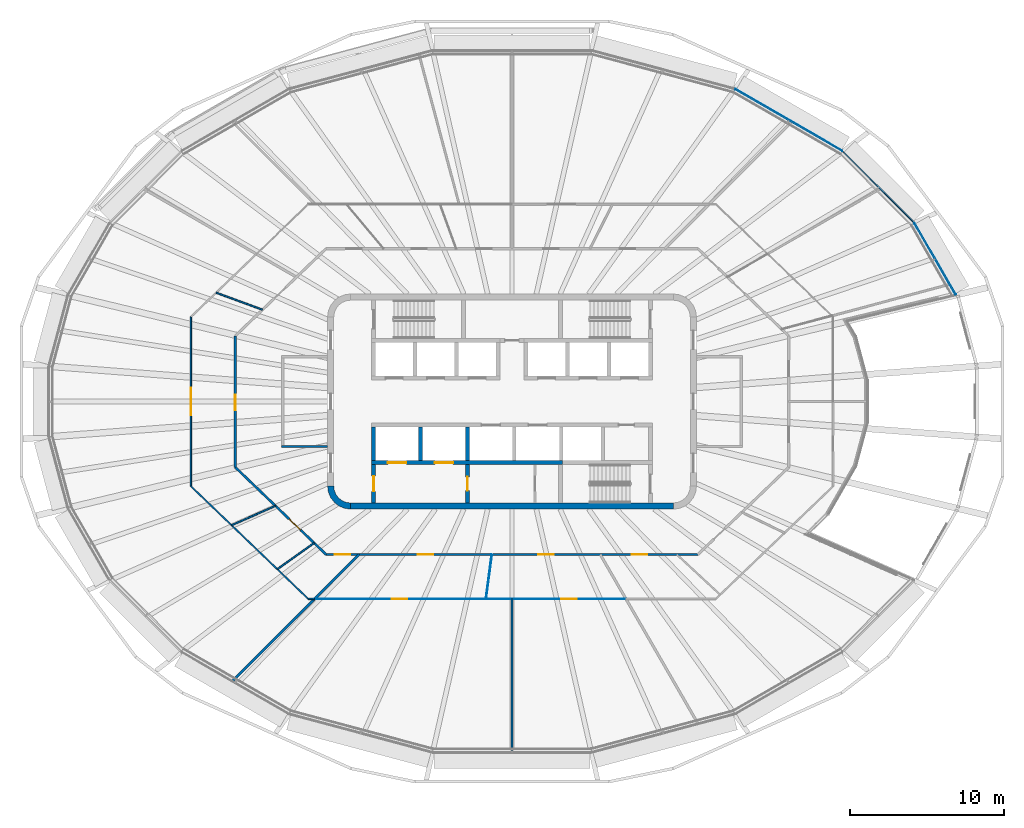
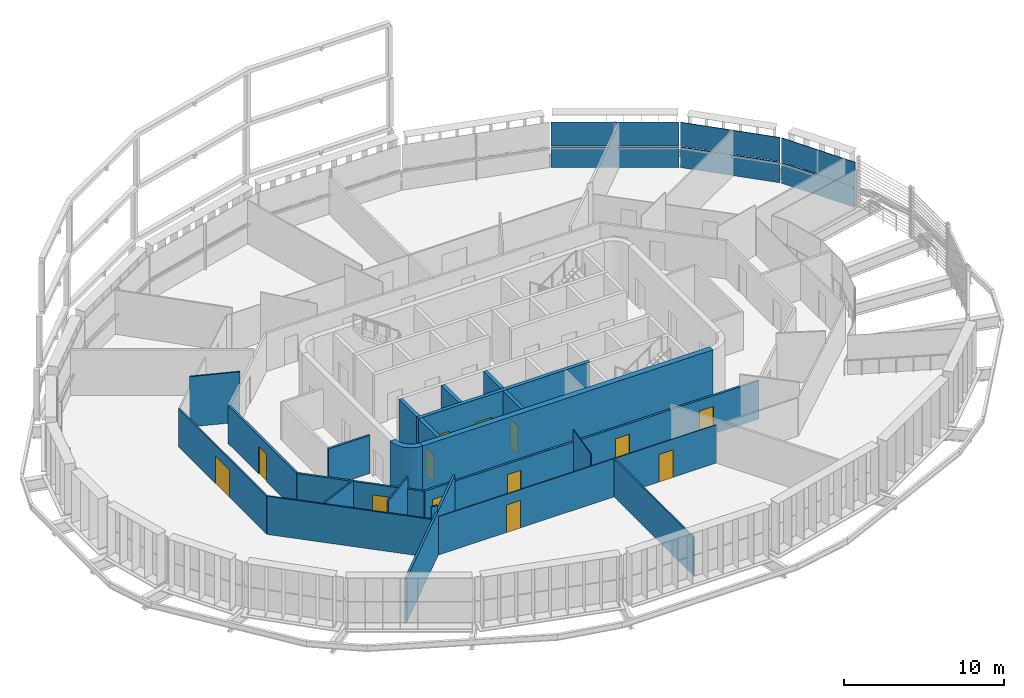
# One storey, part 10 of 21: 22 walls, 13 doors, 6 plates, 13 openings, 3 elements without a shape of their own.
"""IFC4 building model written with IfcOpenShell, lengths in metres."""

from ifc_helpers import new_model, si_unit, direction, frame, frame_2d, origin, place, context, subcontext, project, spatial, polyline, rectangle, outline, extrude, material, layer, layer_set, type_object, element, fill, aggregate, save


model = new_model("IFC4")

# Units and contexts
model_context = context("Model", 3, precision=1e-05, world=origin(), true_north=direction((0.0, 1.0)))
body_context = subcontext(model_context, "Body", "Model", "MODEL_VIEW")
ifc_project = project(units=[si_unit("LENGTHUNIT", "METRE"), si_unit("AREAUNIT", "SQUARE_METRE"), si_unit("VOLUMEUNIT", "CUBIC_METRE"), si_unit("PLANEANGLEUNIT", "RADIAN"), si_unit("MASSUNIT", "GRAM", prefix="KILO")], contexts=[model_context])

# Site, building, storey
site_placement = place(None, origin())
site = spatial("IfcSite", under=ifc_project, at=site_placement, CompositionType="ELEMENT")
building_placement = place(site_placement, origin())
building = spatial("IfcBuilding", under=site, at=building_placement, Name="Sahrelin Media Tower", CompositionType="ELEMENT")
storey_placement = place(building_placement, frame((0.0, 0.0, 263.0)))
storey = spatial("IfcBuildingStorey", under=building, at=storey_placement, Name="L57", CompositionType="ELEMENT", Elevation=263.0)

# Curtain wall, plate
ifc_material_1 = material(Name="Champagne anodised aluminium 6063-T6", Category="aluminium")
ifc_layer_1 = layer(ifc_material_1, 0.14990234375)
ifc_layer_set_1 = layer_set([ifc_layer_1], Name="Tower ribbon curtain wall")
curtain_wall_type = type_object("IfcCurtainWallType", Name="Tower ribbon curtain wall", PredefinedType="NOTDEFINED", material=ifc_layer_set_1)
curtain_wall_1_placement = place(storey_placement, frame((27.537109375, 9.2861328125, 0.0), z_axis=(0.0, 0.0, 1.0), x_axis=(1.0, 0.0, 0.0)))
curtain_wall_1 = element("IfcCurtainWall", 1, at=curtain_wall_1_placement, inside=storey, type_object=curtain_wall_type, Name="L57:CW:L57-02", PredefinedType="NOTDEFINED")
ifc_material_2 = material(Name="Clear low-iron glazing", Category="glass")
ifc_layer_2 = layer(ifc_material_2, 0.048095703125)
ifc_layer_set_2 = layer_set([ifc_layer_2], Name="Glazing panel 48 mm CW1C")
plate_type_1 = type_object("IfcPlateType", Name="Glazing panel 48 mm CW1C", PredefinedType="CURTAIN_PANEL", material=ifc_layer_set_2)
plate_1_placement = place(storey_placement, frame((28.88916015625, 6.984130859375, 1.6298828125), z_axis=(0.866034051535, 0.499985021357, 0.0), x_axis=(-0.499985021357, 0.866034051535, 0.0)))
plate_1 = element("IfcPlate", 2, at=plate_1_placement, type_object=plate_type_1, Name="L57:CWP2:L57-02", PredefinedType="CURTAIN_PANEL", context=body_context, shape_type="SweptSolid", body=[
    extrude(outline(polyline([(0.0, 0.0), (5.339111328125, 0.0), (5.339111328125, 1.818603515625), (0.0, 1.818603515625), (0.0, 0.0)])), origin(), (0.0, 0.0, -1.0), 0.048095703125),
])

curtain_wall_2_placement = place(storey_placement, frame((23.85546875, 13.962890625, 0.0), z_axis=(0.0, 0.0, 1.0), x_axis=(1.0, 0.0, 0.0)))
curtain_wall_2 = element("IfcCurtainWall", 3, at=curtain_wall_2_placement, inside=storey, type_object=curtain_wall_type, Name="L57:CW:L57-03", PredefinedType="NOTDEFINED")
plate_2_placement = place(storey_placement, frame((26.15625, 11.690673828125, 1.6298828125), z_axis=(0.707106781187, 0.707106781187, 0.0), x_axis=(-0.707106781187, 0.707106781187, 0.0)))
plate_2 = element("IfcPlate", 4, at=plate_2_placement, type_object=plate_type_1, Name="L57:CWP2:L57-03", PredefinedType="CURTAIN_PANEL", context=body_context, shape_type="SweptSolid", body=[
    extrude(outline(polyline([(0.0, 0.0), (6.46728515625, 0.0), (6.46728515625, 1.818603515625), (0.0, 1.818603515625), (0.0, 0.0)])), origin(), (0.0, 0.0, -1.0), 0.048095703125),
])

curtain_wall_3_placement = place(storey_placement, frame((18.017578125, 18.31494140625, 0.0), z_axis=(0.0, 0.0, 1.0), x_axis=(1.0, 0.0, 0.0)))
curtain_wall_3 = element("IfcCurtainWall", 5, at=curtain_wall_3_placement, inside=storey, type_object=curtain_wall_type, Name="L57:CW:L57-04", PredefinedType="NOTDEFINED")
plate_3_placement = place(storey_placement, frame((21.50048828125, 16.3271484375, 1.6298828125), z_axis=(0.500008785931, 0.866020331166, 0.0), x_axis=(-0.866020331166, 0.500008785931, 0.0)))
plate_3 = element("IfcPlate", 6, at=plate_3_placement, type_object=plate_type_1, Name="L57:CWP2:L57-04", PredefinedType="CURTAIN_PANEL", context=body_context, shape_type="SweptSolid", body=[
    extrude(outline(polyline([(0.0, 0.0), (8.020263671875, 0.0), (8.020263671875, 1.818603515625), (0.0, 1.818603515625), (0.0, 0.0)])), origin(), (0.0, 0.0, -1.0), 0.048095703125),
])

# Plate
ifc_material_3 = material(Name="Insulated spandrel panel")
ifc_layer_3 = layer(ifc_material_3, 0.06005859375)
ifc_layer_set_3 = layer_set([ifc_layer_3], Name="Spandrel panel 60 mm CW1")
plate_type_2 = type_object("IfcPlateType", Name="Spandrel panel 60 mm CW1", PredefinedType="SHEET", material=ifc_layer_set_3)
plate_4_placement = place(storey_placement, frame((28.88916015625, 6.984130859375, 0.0), z_axis=(0.866034051535, 0.499985021357, 0.0), x_axis=(-0.499985021357, 0.866034051535, 0.0)))
plate_4 = element("IfcPlate", 7, at=plate_4_placement, type_object=plate_type_2, Name="L57:CWP1:L57-02", PredefinedType="SHEET", context=body_context, shape_type="SweptSolid", body=[
    extrude(outline(polyline([(0.0, 0.0), (5.339111328125, 0.0), (5.339111328125, 1.570068359375), (0.0, 1.570068359375), (0.0, 0.0)])), origin(), (0.0, 0.0, -1.0), 0.06005859375),
])

aggregate(curtain_wall_1, [plate_4, plate_1])

plate_5_placement = place(storey_placement, frame((26.15625, 11.690673828125, 0.0), z_axis=(0.707106781187, 0.707106781187, 0.0), x_axis=(-0.707106781187, 0.707106781187, 0.0)))
plate_5 = element("IfcPlate", 8, at=plate_5_placement, type_object=plate_type_2, Name="L57:CWP1:L57-03", PredefinedType="SHEET", context=body_context, shape_type="SweptSolid", body=[
    extrude(outline(polyline([(0.0, 0.0), (6.46728515625, 0.0), (6.46728515625, 1.570068359375), (0.0, 1.570068359375), (0.0, 0.0)])), origin(), (0.0, 0.0, -1.0), 0.06005859375),
])

aggregate(curtain_wall_2, [plate_5, plate_2])

plate_6_placement = place(storey_placement, frame((21.50048828125, 16.3271484375, 0.0), z_axis=(0.500008785931, 0.866020331166, 0.0), x_axis=(-0.866020331166, 0.500008785931, 0.0)))
plate_6 = element("IfcPlate", 9, at=plate_6_placement, type_object=plate_type_2, Name="L57:CWP1:L57-04", PredefinedType="SHEET", context=body_context, shape_type="SweptSolid", body=[
    extrude(outline(polyline([(0.0, 0.0), (8.020263671875, 0.0), (8.020263671875, 1.570068359375), (0.0, 1.570068359375), (0.0, 0.0)])), origin(), (0.0, 0.0, -1.0), 0.06005859375),
])

aggregate(curtain_wall_3, [plate_6, plate_3])

# Walls
ifc_material_4 = material(Name="Concrete C60/75", Category="concrete")
ifc_layer_4 = layer(ifc_material_4, 0.39990234375)
ifc_layer_set_4 = layer_set([ifc_layer_4], Name="Core wall 400")
wall_type_1 = type_object("IfcWallType", Name="Core wall 400", PredefinedType="SHEAR", material=ifc_layer_set_4)
wall_1_placement = place(storey_placement, frame((-10.5, -6.800048828125, 0.0), z_axis=(0.0, 0.0, 1.0), x_axis=(1.0, 0.0, 0.0)))
element("IfcWall", 10, at=wall_1_placement, inside=storey, type_object=wall_type_1, Name="Core wall S L57", PredefinedType="SHEAR", context=body_context, shape_type="SweptSolid", body=[
    extrude(rectangle(XDim=21.0, YDim=0.39990234375, at=frame_2d((10.5, 0.0))), origin(), (0.0, 0.0, 1.0), 4.0),
])
wall_2_placement = place(storey_placement, origin())
element("IfcWall", 11, at=wall_2_placement, inside=storey, type_object=wall_type_1, Name="Core wall corner SW L57", PredefinedType="SHEAR", context=body_context, shape_type="SweptSolid", body=[
    extrude(outline(polyline([(-10.5, -7.0), (-10.5, -6.596435546875), (-10.78369140625, -6.55908203125), (-11.04833984375, -6.44970703125), (-11.275390625, -6.275390625), (-11.44970703125, -6.04833984375), (-11.55908203125, -5.78369140625), (-11.596435546875, -5.5), (-12.0, -5.5), (-11.948974609375, -5.88818359375), (-11.799072265625, -6.25), (-11.560791015625, -6.560791015625), (-11.25, -6.799072265625), (-10.88818359375, -6.948974609375), (-10.5, -7.0)])), origin(), (0.0, 0.0, 1.0), 4.0),
])
ifc_material_5 = material(Name="Fire-rated gypsum board partition")
ifc_layer_5 = layer(ifc_material_5, 0.14990234375)
ifc_layer_set_5 = layer_set([ifc_layer_5], Name="Fire-rated partition 150")
wall_type_2 = type_object("IfcWallType", Name="Fire-rated partition 150", PredefinedType="PARTITIONING", material=ifc_layer_set_5)
wall_3_placement = place(storey_placement, frame((-15.0, -2.925048828125, 0.0), z_axis=(0.0, 0.0, 1.0), x_axis=(1.0, 0.0, 0.0)))
element("IfcWall", 12, at=wall_3_placement, inside=storey, type_object=wall_type_2, Name="Core room fire partition", PredefinedType="PARTITIONING", context=body_context, shape_type="SweptSolid", body=[
    extrude(rectangle(XDim=3.0, YDim=0.14990234375, at=frame_2d((1.5, 0.0))), origin(), (0.0, 0.0, 1.0), 2.918212890625),
])

# Wall, opening, door
wall_4_placement = place(storey_placement, frame((-18.0, -4.278076171875, 0.0), z_axis=(0.0, 0.0, 1.0), x_axis=(0.721290181137, -0.692633001376, 0.0)))
wall_4 = element("IfcWall", 13, at=wall_4_placement, inside=storey, type_object=wall_type_2, Name="Wall", PredefinedType="PARTITIONING", context=body_context, shape_type="SweptSolid", body=[
    extrude(rectangle(XDim=8.18701171875, YDim=0.14990234375, at=frame_2d((4.093505859375, 0.0))), origin(), (0.0, 0.0, 1.0), 2.918212890625),
])
opening_1_placement = place(wall_4_placement, frame((4.8662109375, 0.0, 0.0)))
opening_1 = element("IfcOpeningElement", 14, at=opening_1_placement, cuts=wall_4, Name="Opening L57-D23", PredefinedType="OPENING", context=body_context, shape_type="SweptSolid", body=[
    extrude(rectangle(XDim=1.0, YDim=2.10009765625, at=frame_2d((0.5, 1.050048828125))), frame((0.0, 0.074951171875, 0.0), z_axis=(0.0, -1.0, 0.0), x_axis=(1.0, 0.0, 0.0)), (0.0, 0.0, 1.0), 0.14990234375),
])
ifc_material_6 = material(Name="Steel fire door leaf", Category="steel")
door_type_1 = type_object("IfcDoorType", Name="Fire door 1000 x 2100 EI 60", OperationType="NOTDEFINED", PredefinedType="DOOR", material=ifc_material_6)
door_1_placement = place(opening_1_placement, origin())
door_1 = element("IfcDoor", 15, at=door_1_placement, inside=storey, type_object=door_type_1, Name="Fire door", OperationType="SINGLE_SWING_RIGHT", OverallHeight=2.10009765625, OverallWidth=1.0, PredefinedType="DOOR", context=body_context, shape_type="SweptSolid", body=[
    extrude(rectangle(XDim=1.0, YDim=2.10009765625, at=frame_2d((0.5, 1.050048828125))), frame((0.0, 0.02490234375, 0.0), z_axis=(0.0, -1.0, 0.0), x_axis=(1.0, 0.0, 0.0)), (0.0, 0.0, 1.0), 0.050048828125),
])
fill(opening_1, door_1)

# Wall, openings, doors
wall_5_placement = place(storey_placement, frame((-12.094970703125, -9.948974609375, 0.0), z_axis=(0.0, 0.0, 1.0), x_axis=(1.0, 0.0, 0.0)))
wall_5 = element("IfcWall", 16, at=wall_5_placement, inside=storey, type_object=wall_type_2, Name="Wall", PredefinedType="PARTITIONING", context=body_context, shape_type="SweptSolid", body=[
    extrude(rectangle(XDim=24.18994140625, YDim=0.14990234375, at=frame_2d((12.094970703125, 0.0))), origin(), (0.0, 0.0, 1.0), 2.927001953125),
])
opening_2_placement = place(wall_5_placement, frame((0.572998046875, 0.0, 0.0)))
opening_2 = element("IfcOpeningElement", 17, at=opening_2_placement, cuts=wall_5, Name="Opening L57-D24", PredefinedType="OPENING", context=body_context, shape_type="SweptSolid", body=[
    extrude(rectangle(XDim=1.0, YDim=2.10009765625, at=frame_2d((0.5, 1.050048828125))), frame((0.0, 0.074951171875, 0.0), z_axis=(0.0, -1.0, 0.0), x_axis=(1.0, 0.0, 0.0)), (0.0, 0.0, 1.0), 0.14990234375),
])
opening_3_placement = place(wall_5_placement, frame((5.965576171875, 0.0, 0.0)))
opening_3 = element("IfcOpeningElement", 18, at=opening_3_placement, cuts=wall_5, Name="Opening L57-D26", PredefinedType="OPENING", context=body_context, shape_type="SweptSolid", body=[
    extrude(rectangle(XDim=1.0, YDim=2.10009765625, at=frame_2d((0.5, 1.050048828125))), frame((0.0, 0.074951171875, 0.0), z_axis=(0.0, -1.0, 0.0), x_axis=(1.0, 0.0, 0.0)), (0.0, 0.0, 1.0), 0.14990234375),
])
opening_4_placement = place(wall_5_placement, frame((13.81201171875, 0.0, 0.0)))
opening_4 = element("IfcOpeningElement", 19, at=opening_4_placement, cuts=wall_5, Name="Opening L57-D27", PredefinedType="OPENING", context=body_context, shape_type="SweptSolid", body=[
    extrude(rectangle(XDim=1.0, YDim=2.10009765625, at=frame_2d((0.5, 1.050048828125))), frame((0.0, 0.074951171875, 0.0), z_axis=(0.0, -1.0, 0.0), x_axis=(1.0, 0.0, 0.0)), (0.0, 0.0, 1.0), 0.14990234375),
])
opening_5_placement = place(wall_5_placement, frame((19.87939453125, 0.0, 0.0)))
opening_5 = element("IfcOpeningElement", 20, at=opening_5_placement, cuts=wall_5, Name="Opening L57-D30", PredefinedType="OPENING", context=body_context, shape_type="SweptSolid", body=[
    extrude(rectangle(XDim=1.0, YDim=2.10009765625, at=frame_2d((0.5, 1.050048828125))), frame((0.0, 0.074951171875, 0.0), z_axis=(0.0, -1.0, 0.0), x_axis=(1.0, 0.0, 0.0)), (0.0, 0.0, 1.0), 0.14990234375),
])
door_2_placement = place(opening_2_placement, origin())
door_2 = element("IfcDoor", 21, at=door_2_placement, inside=storey, type_object=door_type_1, Name="Fire door", OperationType="SINGLE_SWING_LEFT", OverallHeight=2.10009765625, OverallWidth=1.0, PredefinedType="DOOR", context=body_context, shape_type="SweptSolid", body=[
    extrude(rectangle(XDim=1.0, YDim=2.10009765625, at=frame_2d((0.5, 1.050048828125))), frame((0.0, 0.02490234375, 0.0), z_axis=(0.0, -1.0, 0.0), x_axis=(1.0, 0.0, 0.0)), (0.0, 0.0, 1.0), 0.050048828125),
])
fill(opening_2, door_2)
door_3_placement = place(opening_3_placement, origin())
door_3 = element("IfcDoor", 22, at=door_3_placement, inside=storey, type_object=door_type_1, Name="Fire door", OperationType="SINGLE_SWING_LEFT", OverallHeight=2.10009765625, OverallWidth=1.0, PredefinedType="DOOR", context=body_context, shape_type="SweptSolid", body=[
    extrude(rectangle(XDim=1.0, YDim=2.10009765625, at=frame_2d((0.5, 1.050048828125))), frame((0.0, 0.02490234375, 0.0), z_axis=(0.0, -1.0, 0.0), x_axis=(1.0, 0.0, 0.0)), (0.0, 0.0, 1.0), 0.050048828125),
])
fill(opening_3, door_3)
door_4_placement = place(opening_4_placement, origin())
door_4 = element("IfcDoor", 23, at=door_4_placement, inside=storey, type_object=door_type_1, Name="Fire door", OperationType="SINGLE_SWING_LEFT", OverallHeight=2.10009765625, OverallWidth=1.0, PredefinedType="DOOR", context=body_context, shape_type="SweptSolid", body=[
    extrude(rectangle(XDim=1.0, YDim=2.10009765625, at=frame_2d((0.5, 1.050048828125))), frame((0.0, 0.02490234375, 0.0), z_axis=(0.0, -1.0, 0.0), x_axis=(1.0, 0.0, 0.0)), (0.0, 0.0, 1.0), 0.050048828125),
])
fill(opening_4, door_4)
door_5_placement = place(opening_5_placement, origin())
door_5 = element("IfcDoor", 24, at=door_5_placement, inside=storey, type_object=door_type_1, Name="Fire door", OperationType="SINGLE_SWING_RIGHT", OverallHeight=2.10009765625, OverallWidth=1.0, PredefinedType="DOOR", context=body_context, shape_type="SweptSolid", body=[
    extrude(rectangle(XDim=1.0, YDim=2.10009765625, at=frame_2d((0.5, 1.050048828125))), frame((0.0, 0.02490234375, 0.0), z_axis=(0.0, -1.0, 0.0), x_axis=(1.0, 0.0, 0.0)), (0.0, 0.0, 1.0), 0.050048828125),
])
fill(opening_5, door_5)

# Wall
wall_6_placement = place(storey_placement, frame((-18.2060546875, -18.2060546875, 0.0), z_axis=(0.0, 0.0, 1.0), x_axis=(0.707106781187, 0.707106781187, 0.0)))
element("IfcWall", 25, at=wall_6_placement, inside=storey, type_object=wall_type_2, Name="Wall", PredefinedType="PARTITIONING", context=body_context, shape_type="SweptSolid", body=[
    extrude(rectangle(XDim=11.67724609375, YDim=0.14990234375, at=frame_2d((5.838623046875, 0.0))), origin(), (0.0, 0.0, 1.0), 3.373046875),
])

# Wall, opening, door
wall_7_placement = place(storey_placement, frame((-18.0, -4.278076171875, 0.0), z_axis=(0.0, 0.0, 1.0), x_axis=(0.0, 1.0, 0.0)))
wall_7 = element("IfcWall", 26, at=wall_7_placement, inside=storey, type_object=wall_type_2, Name="Wall", PredefinedType="PARTITIONING", context=body_context, shape_type="SweptSolid", body=[
    extrude(rectangle(XDim=8.55615234375, YDim=0.14990234375, at=frame_2d((4.278076171875, 0.0))), origin(), (0.0, 0.0, 1.0), 2.918212890625),
])
opening_6_placement = place(wall_7_placement, frame((3.7275390625, 0.0, 0.0)))
opening_6 = element("IfcOpeningElement", 27, at=opening_6_placement, cuts=wall_7, Name="Opening L57-D22", PredefinedType="OPENING", context=body_context, shape_type="SweptSolid", body=[
    extrude(rectangle(XDim=1.0, YDim=2.10009765625, at=frame_2d((0.5, 1.050048828125))), frame((0.0, 0.074951171875, 0.0), z_axis=(0.0, -1.0, 0.0), x_axis=(1.0, 0.0, 0.0)), (0.0, 0.0, 1.0), 0.14990234375),
])
door_6_placement = place(opening_6_placement, origin())
door_6 = element("IfcDoor", 28, at=door_6_placement, inside=storey, type_object=door_type_1, Name="Fire door", OperationType="SINGLE_SWING_RIGHT", OverallHeight=2.10009765625, OverallWidth=1.0, PredefinedType="DOOR", context=body_context, shape_type="SweptSolid", body=[
    extrude(rectangle(XDim=1.0, YDim=2.10009765625, at=frame_2d((0.5, 1.050048828125))), frame((0.0, 0.02490234375, 0.0), z_axis=(0.0, -1.0, 0.0), x_axis=(1.0, 0.0, 0.0)), (0.0, 0.0, 1.0), 0.050048828125),
])
fill(opening_6, door_6)

ifc_layer_6 = layer(ifc_material_5, 0.25)
ifc_layer_set_6 = layer_set([ifc_layer_6], Name="Firefighting lobby wall 250")
wall_type_3 = type_object("IfcWallType", Name="Firefighting lobby wall 250", PredefinedType="PARTITIONING", material=ifc_layer_set_6)
wall_8_placement = place(storey_placement, frame((-9.0, -6.60009765625, 0.0), z_axis=(0.0, 0.0, 1.0), x_axis=(0.0, 1.0, 0.0)))
wall_8 = element("IfcWall", 29, at=wall_8_placement, inside=storey, type_object=wall_type_3, Name="Core wall", PredefinedType="PARTITIONING", context=body_context, shape_type="SweptSolid", body=[
    extrude(rectangle(XDim=2.5, YDim=0.25, at=frame_2d((1.25, 0.0))), origin(), (0.0, 0.0, 1.0), 3.85009765625),
])
opening_7_placement = place(wall_8_placement, frame((0.75, 0.0, 0.0)))
opening_7 = element("IfcOpeningElement", 30, at=opening_7_placement, cuts=wall_8, Name="Opening L57-D04", PredefinedType="OPENING", context=body_context, shape_type="SweptSolid", body=[
    extrude(rectangle(XDim=1.0, YDim=2.10009765625, at=frame_2d((0.5, 1.050048828125))), frame((0.0, 0.125, 0.0), z_axis=(0.0, -1.0, 0.0), x_axis=(1.0, 0.0, 0.0)), (0.0, 0.0, 1.0), 0.25),
])
door_type_2 = type_object("IfcDoorType", Name="Firefighting lobby door 1000 x 2100 EI 120", OperationType="NOTDEFINED", PredefinedType="DOOR", material=ifc_material_6)
door_7_placement = place(opening_7_placement, origin())
door_7 = element("IfcDoor", 31, at=door_7_placement, inside=storey, type_object=door_type_2, Name="Firefighting lobby door", OperationType="SINGLE_SWING_LEFT", OverallHeight=2.10009765625, OverallWidth=1.0, PredefinedType="DOOR", context=body_context, shape_type="SweptSolid", body=[
    extrude(rectangle(XDim=1.0, YDim=2.10009765625, at=frame_2d((0.5, 1.050048828125))), frame((0.0, 0.02490234375, 0.0), z_axis=(0.0, -1.0, 0.0), x_axis=(1.0, 0.0, 0.0)), (0.0, 0.0, 1.0), 0.050048828125),
])
fill(opening_7, door_7)

wall_9_placement = place(storey_placement, frame((-2.89990234375, -6.60009765625, 0.0), z_axis=(0.0, 0.0, 1.0), x_axis=(0.0, 1.0, 0.0)))
wall_9 = element("IfcWall", 32, at=wall_9_placement, inside=storey, type_object=wall_type_3, Name="Core wall", PredefinedType="PARTITIONING", context=body_context, shape_type="SweptSolid", body=[
    extrude(rectangle(XDim=2.5, YDim=0.25, at=frame_2d((1.25, 0.0))), origin(), (0.0, 0.0, 1.0), 3.85009765625),
])
opening_8_placement = place(wall_9_placement, frame((0.800048828125, 0.0, 0.0)))
opening_8 = element("IfcOpeningElement", 33, at=opening_8_placement, cuts=wall_9, Name="Opening L57-D05", PredefinedType="OPENING", context=body_context, shape_type="SweptSolid", body=[
    extrude(rectangle(XDim=0.89990234375, YDim=2.10009765625, at=frame_2d((0.449951171875, 1.050048828125))), frame((0.0, 0.125, 0.0), z_axis=(0.0, -1.0, 0.0), x_axis=(1.0, 0.0, 0.0)), (0.0, 0.0, 1.0), 0.25),
])
door_type_3 = type_object("IfcDoorType", Name="Firefighting lobby door 900 x 2100 EI 120", OperationType="NOTDEFINED", PredefinedType="DOOR", material=ifc_material_6)
door_8_placement = place(opening_8_placement, origin())
door_8 = element("IfcDoor", 34, at=door_8_placement, inside=storey, type_object=door_type_3, Name="Riser door", OperationType="SINGLE_SWING_RIGHT", OverallHeight=2.10009765625, OverallWidth=0.89990234375, PredefinedType="DOOR", context=body_context, shape_type="SweptSolid", body=[
    extrude(rectangle(XDim=0.89990234375, YDim=2.10009765625, at=frame_2d((0.449951171875, 1.050048828125))), frame((0.0, 0.02490234375, 0.0), z_axis=(0.0, -1.0, 0.0), x_axis=(1.0, 0.0, 0.0)), (0.0, 0.0, 1.0), 0.050048828125),
])
fill(opening_8, door_8)

# Wall, openings, doors
ifc_material_7 = material(Name="Clear glass", Category="glass")
ifc_layer_7 = layer(ifc_material_7, 0.050048828125)
ifc_layer_set_7 = layer_set([ifc_layer_7], Name="Glazed partition 50")
wall_type_4 = type_object("IfcWallType", Name="Glazed partition 50", PredefinedType="PARTITIONING", material=ifc_layer_set_7)
wall_10_placement = place(storey_placement, frame((-12.839111328125, -12.839111328125, 0.0), z_axis=(0.0, 0.0, 1.0), x_axis=(1.0, 0.0, 0.0)))
wall_10 = element("IfcWall", 35, at=wall_10_placement, inside=storey, type_object=wall_type_4, Name="Wall", PredefinedType="PARTITIONING", context=body_context, shape_type="SweptSolid", body=[
    extrude(rectangle(XDim=20.252197265625, YDim=0.050048828125, at=frame_2d((10.1259765625, 0.0))), origin(), (0.0, 0.0, 1.0), 2.927001953125),
])
opening_9_placement = place(wall_10_placement, frame((5.024169921875, 0.0, 0.0)))
opening_9 = element("IfcOpeningElement", 36, at=opening_9_placement, cuts=wall_10, Name="Opening L57-D28", PredefinedType="OPENING", context=body_context, shape_type="SweptSolid", body=[
    extrude(rectangle(XDim=1.0, YDim=2.10009765625, at=frame_2d((0.5, 1.050048828125))), frame((0.0, 0.02490234375, 0.0), z_axis=(0.0, -1.0, 0.0), x_axis=(1.0, 0.0, 0.0)), (0.0, 0.0, 1.0), 0.050048828125),
])
opening_10_placement = place(wall_10_placement, frame((16.04541015625, 0.0, 0.0)))
opening_10 = element("IfcOpeningElement", 37, at=opening_10_placement, cuts=wall_10, Name="Opening L57-D29", PredefinedType="OPENING", context=body_context, shape_type="SweptSolid", body=[
    extrude(rectangle(XDim=1.0, YDim=2.10009765625, at=frame_2d((0.5, 1.050048828125))), frame((0.0, 0.02490234375, 0.0), z_axis=(0.0, -1.0, 0.0), x_axis=(1.0, 0.0, 0.0)), (0.0, 0.0, 1.0), 0.050048828125),
])
door_type_4 = type_object("IfcDoorType", Name="Glazed door 1000 x 2100", OperationType="NOTDEFINED", PredefinedType="DOOR", material=ifc_material_7)
door_9_placement = place(opening_9_placement, origin())
door_9 = element("IfcDoor", 38, at=door_9_placement, inside=storey, type_object=door_type_4, Name="Glazed door", OperationType="SINGLE_SWING_LEFT", OverallHeight=2.10009765625, OverallWidth=1.0, PredefinedType="DOOR", context=body_context, shape_type="SweptSolid", body=[
    extrude(rectangle(XDim=1.0, YDim=2.10009765625, at=frame_2d((0.5, 1.050048828125))), frame((0.0, 0.02490234375, 0.0), z_axis=(0.0, -1.0, 0.0), x_axis=(1.0, 0.0, 0.0)), (0.0, 0.0, 1.0), 0.049560546875),
])
fill(opening_9, door_9)
door_10_placement = place(opening_10_placement, origin())
door_10 = element("IfcDoor", 39, at=door_10_placement, inside=storey, type_object=door_type_4, Name="Glazed door", OperationType="SINGLE_SWING_LEFT", OverallHeight=2.10009765625, OverallWidth=1.0, PredefinedType="DOOR", context=body_context, shape_type="SweptSolid", body=[
    extrude(rectangle(XDim=1.0, YDim=2.10009765625, at=frame_2d((0.5, 1.050048828125))), frame((0.0, 0.02490234375, 0.0), z_axis=(0.0, -1.0, 0.0), x_axis=(1.0, 0.0, 0.0)), (0.0, 0.0, 1.0), 0.049560546875),
])
fill(opening_10, door_10)

# Wall
wall_11_placement = place(storey_placement, frame((-1.68994140625, -12.839111328125, 0.0), z_axis=(0.0, 0.0, 1.0), x_axis=(0.130320186763, 0.991471960734, 0.0)))
element("IfcWall", 40, at=wall_11_placement, inside=storey, type_object=wall_type_4, Name="Wall", PredefinedType="PARTITIONING", context=body_context, shape_type="SweptSolid", body=[
    extrude(rectangle(XDim=2.9150390625, YDim=0.050048828125, at=frame_2d((1.45751953125, 0.0))), origin(), (0.0, 0.0, 1.0), 3.85009765625),
])

# Wall, openings, doors
ifc_layer_8 = layer(ifc_material_4, 0.25)
ifc_layer_set_8 = layer_set([ifc_layer_8], Name="Lift shaft wall 250")
wall_type_5 = type_object("IfcWallType", Name="Lift shaft wall 250", PredefinedType="SOLIDWALL", material=ifc_layer_set_8)
wall_12_placement = place(storey_placement, frame((-9.125, -3.97509765625, 0.0), z_axis=(0.0, 0.0, 1.0), x_axis=(1.0, 0.0, 0.0)))
wall_12 = element("IfcWall", 41, at=wall_12_placement, inside=storey, type_object=wall_type_5, Name="Lift shaft wall", PredefinedType="SOLIDWALL", context=body_context, shape_type="SweptSolid", body=[
    extrude(rectangle(XDim=12.39990234375, YDim=0.25, at=frame_2d((6.199951171875, 0.0))), origin(), (0.0, 0.0, 1.0), 3.85009765625),
])
opening_11_placement = place(wall_12_placement, frame((1.050048828125, 0.0, 0.0)))
opening_11 = element("IfcOpeningElement", 42, at=opening_11_placement, cuts=wall_12, Name="Opening L57-LD-FF1", PredefinedType="OPENING", context=body_context, shape_type="SweptSolid", body=[
    extrude(rectangle(XDim=1.199951171875, YDim=2.10009765625, at=frame_2d((0.60009765625, 1.050048828125))), frame((0.0, 0.125, 0.0), z_axis=(0.0, -1.0, 0.0), x_axis=(1.0, 0.0, 0.0)), (0.0, 0.0, 1.0), 0.25),
])
opening_12_placement = place(wall_12_placement, frame((4.10009765625, 0.0, 0.0)))
opening_12 = element("IfcOpeningElement", 43, at=opening_12_placement, cuts=wall_12, Name="Opening L57-LD-FF2", PredefinedType="OPENING", context=body_context, shape_type="SweptSolid", body=[
    extrude(rectangle(XDim=1.199951171875, YDim=2.10009765625, at=frame_2d((0.60009765625, 1.050048828125))), frame((0.0, 0.125, 0.0), z_axis=(0.0, -1.0, 0.0), x_axis=(1.0, 0.0, 0.0)), (0.0, 0.0, 1.0), 0.25),
])
ifc_material_8 = material(Name="Stainless steel", Category="steel")
door_type_5 = type_object("IfcDoorType", Name="Lift landing door 1200 x 2100 EI 120", OperationType="DOUBLE_DOOR_SLIDING", PredefinedType="DOOR", material=ifc_material_8)
door_11_placement = place(opening_11_placement, origin())
door_11 = element("IfcDoor", 44, at=door_11_placement, inside=storey, type_object=door_type_5, Name="Lift landing door FF1", OperationType="DOUBLE_DOOR_SLIDING", OverallHeight=2.10009765625, OverallWidth=1.199951171875, PredefinedType="DOOR", context=body_context, shape_type="SweptSolid", body=[
    extrude(rectangle(XDim=1.199951171875, YDim=2.10009765625, at=frame_2d((0.60009765625, 1.050048828125))), frame((0.0, 0.02490234375, 0.0), z_axis=(0.0, -1.0, 0.0), x_axis=(1.0, 0.0, 0.0)), (0.0, 0.0, 1.0), 0.050048828125),
])
fill(opening_11, door_11)
door_12_placement = place(opening_12_placement, origin())
door_12 = element("IfcDoor", 45, at=door_12_placement, inside=storey, type_object=door_type_5, Name="Lift landing door FF2", OperationType="DOUBLE_DOOR_SLIDING", OverallHeight=2.10009765625, OverallWidth=1.199951171875, PredefinedType="DOOR", context=body_context, shape_type="SweptSolid", body=[
    extrude(rectangle(XDim=1.199951171875, YDim=2.10009765625, at=frame_2d((0.60009765625, 1.050048828125))), frame((0.0, 0.02490234375, 0.0), z_axis=(0.0, -1.0, 0.0), x_axis=(1.0, 0.0, 0.0)), (0.0, 0.0, 1.0), 0.050048828125),
])
fill(opening_12, door_12)

# Walls
for number, where, z_axis, x_axis, name in (
    (46, (-9.0, -3.85009765625, 0.0), (0.0, 0.0, 1.0), (0.0, 1.0, 0.0), "Lift shaft wall"),
    (47, (-5.949951171875, -3.85009765625, 0.0), (0.0, 0.0, 1.0), (0.0, 1.0, 0.0), "Lift shaft wall"),
    (48, (-2.89990234375, -3.85009765625, 0.0), (0.0, 0.0, 1.0), (0.0, 1.0, 0.0), "Lift shaft wall"),
):
    element("IfcWall", number, at=place(storey_placement, frame(where, z_axis=z_axis, x_axis=x_axis)), inside=storey, type_object=wall_type_5, Name=name, PredefinedType="SOLIDWALL", context=body_context, shape_type="SweptSolid", body=[
        extrude(rectangle(XDim=2.2001953125, YDim=0.25, at=frame_2d((1.10009765625, 0.0))), origin(), (0.0, 0.0, 1.0), 3.85009765625),
    ])
ifc_material_9 = material(Name="Gypsum board partition")
ifc_layer_9 = layer(ifc_material_9, 0.10009765625)
ifc_layer_set_9 = layer_set([ifc_layer_9], Name="Partition 100")
wall_type_6 = type_object("IfcWallType", Name="Partition 100", PredefinedType="PARTITIONING", material=ifc_layer_set_9)
wall_13_placement = place(storey_placement, frame((-20.889892578125, -5.509033203125, 0.0), z_axis=(0.0, 0.0, 1.0), x_axis=(0.721243919182, -0.692681174166, 0.0)))
element("IfcWall", 49, at=wall_13_placement, inside=storey, type_object=wall_type_6, Name="Wall", PredefinedType="PARTITIONING", context=body_context, shape_type="SweptSolid", body=[
    extrude(rectangle(XDim=10.581787109375, YDim=0.10009765625, at=frame_2d((5.291015625, 0.0))), origin(), (0.0, 0.0, 1.0), 2.927001953125),
])
wall_14_placement = place(storey_placement, frame((-19.2470703125, 7.0859375, 0.0), z_axis=(0.0, 0.0, 1.0), x_axis=(0.938441676653, -0.345437721625, 0.0)))
element("IfcWall", 50, at=wall_14_placement, inside=storey, type_object=wall_type_6, Name="Wall", PredefinedType="PARTITIONING", context=body_context, shape_type="SweptSolid", body=[
    extrude(rectangle(XDim=3.212890625, YDim=0.10009765625, at=frame_2d((1.6064453125, 0.0))), origin(), (0.0, 0.0, 1.0), 3.85009765625),
])
wall_15_placement = place(storey_placement, frame((-13.258056640625, -12.839111328125, 0.0), z_axis=(0.0, 0.0, 1.0), x_axis=(1.0, 0.0, 0.0)))
element("IfcWall", 51, at=wall_15_placement, inside=storey, type_object=wall_type_6, Name="Wall", PredefinedType="PARTITIONING", context=body_context, shape_type="SweptSolid", body=[
    extrude(rectangle(XDim=0.4189453125, YDim=0.10009765625, at=frame_2d((0.20947265625, 0.0))), origin(), (0.0, 0.0, 1.0), 3.85009765625),
])
wall_16_placement = place(storey_placement, frame((-18.2490234375, -8.0458984375, 0.0), z_axis=(0.0, 0.0, 1.0), x_axis=(0.915015337029, 0.403419053841, 0.0)))
element("IfcWall", 52, at=wall_16_placement, inside=storey, type_object=wall_type_6, Name="Wall", PredefinedType="PARTITIONING", context=body_context, shape_type="SweptSolid", body=[
    extrude(rectangle(XDim=3.125732421875, YDim=0.10009765625, at=frame_2d((1.56298828125, 0.0))), origin(), (0.0, 0.0, 1.0), 2.9951171875),
])
wall_17_placement = place(storey_placement, frame((-15.27001953125, -10.906982421875, 0.0), z_axis=(0.0, 0.0, 1.0), x_axis=(0.813789563909, 0.581159655923, 0.0)))
element("IfcWall", 53, at=wall_17_placement, inside=storey, type_object=wall_type_6, Name="Wall", PredefinedType="PARTITIONING", context=body_context, shape_type="SweptSolid", body=[
    extrude(rectangle(XDim=2.940673828125, YDim=0.10009765625, at=frame_2d((1.47021484375, 0.0))), origin(), (0.0, 0.0, 1.0), 3.85009765625),
])
wall_18_placement = place(storey_placement, frame((0.0, -22.844970703125, 0.0), z_axis=(0.0, 0.0, 1.0), x_axis=(0.0, 1.0, 0.0)))
element("IfcWall", 54, at=wall_18_placement, inside=storey, type_object=wall_type_6, Name="Wall", PredefinedType="PARTITIONING", context=body_context, shape_type="SweptSolid", body=[
    extrude(rectangle(XDim=10.005859375, YDim=0.10009765625, at=frame_2d((5.0029296875, 0.0))), origin(), (0.0, 0.0, 1.0), 2.927001953125),
])

# Wall, opening, door
wall_19_placement = place(storey_placement, frame((-20.889892578125, -5.509033203125, 0.0), z_axis=(0.0, 0.0, 1.0), x_axis=(0.0, 1.0, 0.0)))
wall_19 = element("IfcWall", 55, at=wall_19_placement, inside=storey, type_object=wall_type_6, Name="Wall", PredefinedType="PARTITIONING", context=body_context, shape_type="SweptSolid", body=[
    extrude(rectangle(XDim=11.01806640625, YDim=0.10009765625, at=frame_2d((5.509033203125, 0.0))), origin(), (0.0, 0.0, 1.0), 2.918212890625),
])
opening_13_placement = place(wall_19_placement, frame((4.60888671875, 0.0, 0.0)))
opening_13 = element("IfcOpeningElement", 56, at=opening_13_placement, cuts=wall_19, Name="Opening L57-D25", PredefinedType="OPENING", context=body_context, shape_type="SweptSolid", body=[
    extrude(rectangle(XDim=1.800048828125, YDim=2.10009765625, at=frame_2d((0.89990234375, 1.050048828125))), frame((0.0, 0.050048828125, 0.0), z_axis=(0.0, -1.0, 0.0), x_axis=(1.0, 0.0, 0.0)), (0.0, 0.0, 1.0), 0.10009765625),
])
ifc_material_10 = material(Name="Timber door leaf", Category="wood")
door_type_6 = type_object("IfcDoorType", Name="Double door 1800 x 2100", OperationType="DOUBLE_DOOR_SINGLE_SWING", PredefinedType="DOOR", material=ifc_material_10)
door_13_placement = place(opening_13_placement, origin())
door_13 = element("IfcDoor", 57, at=door_13_placement, inside=storey, type_object=door_type_6, Name="Double door", OperationType="DOUBLE_DOOR_SINGLE_SWING", OverallHeight=2.10009765625, OverallWidth=1.800048828125, PredefinedType="DOOR", context=body_context, shape_type="SweptSolid", body=[
    extrude(rectangle(XDim=1.800048828125, YDim=2.10009765625, at=frame_2d((0.89990234375, 1.050048828125))), frame((0.0, 0.02490234375, 0.0), z_axis=(0.0, -1.0, 0.0), x_axis=(1.0, 0.0, 0.0)), (0.0, 0.0, 1.0), 0.050048828125),
])
fill(opening_13, door_13)

save(model, "model.ifc")
